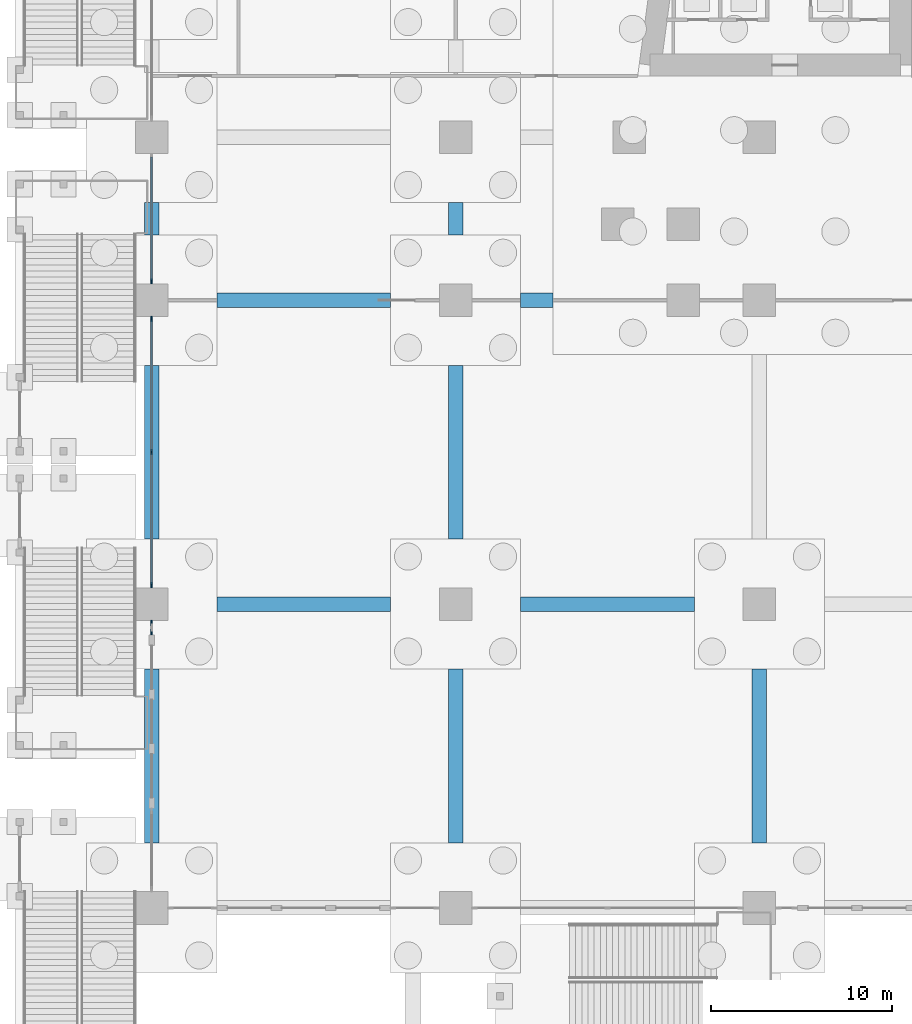
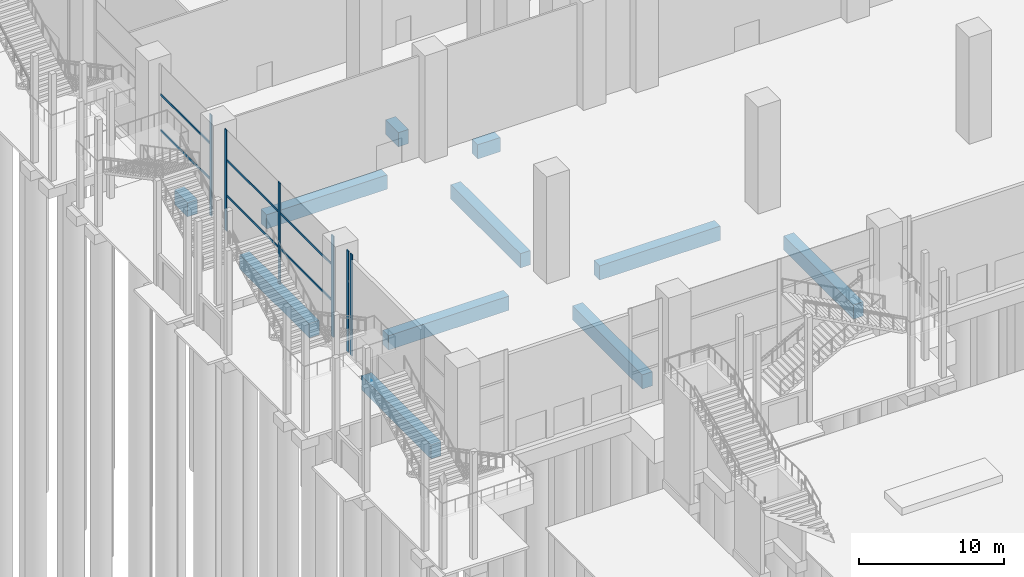
# One storey, part 17 of 72: 12 members, 11 beams, 3 elements without a shape of their own.
"""IFC4 building model written with IfcOpenShell, lengths in metres."""

from ifc_helpers import new_model, si_unit, direction, frame, origin, origin_2d, place, context, subcontext, project, spatial, rectangle, extrude, material, material_profile, profile_set, type_object, element, aggregate, save


model = new_model("IFC4")

# Units and contexts
model_context = context("Model", 3, precision=1e-05, world=origin(), true_north=direction((0.0, 1.0)))
body_context = subcontext(model_context, "Body", "Model", "MODEL_VIEW")
ifc_project = project(units=[si_unit("LENGTHUNIT", "METRE"), si_unit("AREAUNIT", "SQUARE_METRE"), si_unit("VOLUMEUNIT", "CUBIC_METRE"), si_unit("PLANEANGLEUNIT", "RADIAN"), si_unit("MASSUNIT", "GRAM", prefix="KILO")], contexts=[model_context])

# Site, building, storey
site_placement = place(None, origin())
site = spatial("IfcSite", under=ifc_project, at=site_placement, CompositionType="ELEMENT")
building_placement = place(site_placement, origin())
building = spatial("IfcBuilding", under=site, at=building_placement, Name="Candeia Pilgrim Tower and Theatre", CompositionType="ELEMENT")
storey_placement = place(building_placement, origin())
storey = spatial("IfcBuildingStorey", under=building, at=storey_placement, Name="L00", CompositionType="ELEMENT", Elevation=0.0)

# Curtain wall, members
ifc_material_1 = material(Name="Aluminium framed podium glazing", Category="aluminium")
curtain_wall_type = type_object("IfcCurtainWallType", Name="CW-P curtain wall", PredefinedType="NOTDEFINED", material=ifc_material_1)
curtain_wall_1_placement = place(storey_placement, origin())
curtain_wall_1 = element("IfcCurtainWall", 1, at=curtain_wall_1_placement, inside=storey, type_object=curtain_wall_type, Name="Curtain wall CW-P L00.001", PredefinedType="NOTDEFINED")
ifc_material_2 = material(Name="Anodised aluminium", Category="aluminium")
ifc_material_profile_1 = material_profile(ifc_material_2, rectangle(XDim=0.080078125, YDim=0.300048828125, at=origin_2d()))
ifc_profile_set_1 = profile_set([ifc_material_profile_1], Name="Anodised aluminium")
member_type_1 = type_object("IfcMemberType", Name="CW-P mullion 80x300", PredefinedType="MULLION", material=ifc_profile_set_1)
member_1_placement = place(storey_placement, frame((58.800048828125, 79.64990234375, 0.0), z_axis=(0.0, 0.0, 1.0), x_axis=(-1.0, 0.0, 0.0)))
member_1 = element("IfcMember", 2, at=member_1_placement, type_object=member_type_1, Name="CW-P mullion 1", PredefinedType="MULLION", context=body_context, shape_type="SweptSolid", body=[
    extrude(rectangle(XDim=0.080078125, YDim=0.300048828125, at=origin_2d()), origin(), (0.0, 0.0, 1.0), 8.5),
])
member_2_placement = place(storey_placement, frame((58.800048828125, 80.14990234375, 0.0), z_axis=(0.0, 0.0, 1.0), x_axis=(-1.0, 0.0, 0.0)))
member_2 = element("IfcMember", 3, at=member_2_placement, type_object=member_type_1, Name="CW-P mullion 2", PredefinedType="MULLION", context=body_context, shape_type="SweptSolid", body=[
    extrude(rectangle(XDim=0.080078125, YDim=0.300048828125, at=origin_2d()), origin(), (0.0, 0.0, 1.0), 8.5),
])
aggregate(curtain_wall_1, [member_1, member_2])

curtain_wall_2_placement = place(storey_placement, origin())
curtain_wall_2 = element("IfcCurtainWall", 4, at=curtain_wall_2_placement, inside=storey, type_object=curtain_wall_type, Name="Curtain wall CW-P L00.010", PredefinedType="NOTDEFINED")
member_3_placement = place(storey_placement, frame((58.800048828125, 82.25, 0.0), z_axis=(0.0, 0.0, 1.0), x_axis=(-1.0, 0.0, 0.0)))
member_3 = element("IfcMember", 5, at=member_3_placement, type_object=member_type_1, Name="CW-P mullion 1", PredefinedType="MULLION", context=body_context, shape_type="SweptSolid", body=[
    extrude(rectangle(XDim=0.080078125, YDim=0.300048828125, at=origin_2d()), origin(), (0.0, 0.0, 1.0), 8.5),
])
member_4_placement = place(storey_placement, frame((58.800048828125, 89.60009765625, 0.0), z_axis=(0.0, 0.0, 1.0), x_axis=(-1.0, 0.0, 0.0)))
member_4 = element("IfcMember", 6, at=member_4_placement, type_object=member_type_1, Name="CW-P mullion 2", PredefinedType="MULLION", context=body_context, shape_type="SweptSolid", body=[
    extrude(rectangle(XDim=0.080078125, YDim=0.300048828125, at=origin_2d()), origin(), (0.0, 0.0, 1.0), 8.5),
])
member_5_placement = place(storey_placement, frame((58.800048828125, 96.949951171875, 0.0), z_axis=(0.0, 0.0, 1.0), x_axis=(-1.0, 0.0, 0.0)))
member_5 = element("IfcMember", 7, at=member_5_placement, type_object=member_type_1, Name="CW-P mullion 3", PredefinedType="MULLION", context=body_context, shape_type="SweptSolid", body=[
    extrude(rectangle(XDim=0.080078125, YDim=0.300048828125, at=origin_2d()), origin(), (0.0, 0.0, 1.0), 8.5),
])

# Curtain wall, member
curtain_wall_3_placement = place(storey_placement, origin())
curtain_wall_3 = element("IfcCurtainWall", 8, at=curtain_wall_3_placement, inside=storey, type_object=curtain_wall_type, Name="Curtain wall CW-P L00.020", PredefinedType="NOTDEFINED")
member_6_placement = place(storey_placement, frame((58.800048828125, 99.050048828125, 0.0), z_axis=(0.0, 0.0, 1.0), x_axis=(-1.0, 0.0, 0.0)))
member_6 = element("IfcMember", 9, at=member_6_placement, type_object=member_type_1, Name="CW-P mullion 1", PredefinedType="MULLION", context=body_context, shape_type="SweptSolid", body=[
    extrude(rectangle(XDim=0.080078125, YDim=0.300048828125, at=origin_2d()), origin(), (0.0, 0.0, 1.0), 8.5),
])

# Member
ifc_material_profile_2 = material_profile(ifc_material_2, rectangle(XDim=0.080078125, YDim=0.179931640625, at=origin_2d()))
ifc_profile_set_2 = profile_set([ifc_material_profile_2], Name="Anodised aluminium")
member_type_2 = type_object("IfcMemberType", Name="CW-P transom 80x180", PredefinedType="USERDEFINED", material=ifc_profile_set_2)
member_7_placement = place(storey_placement, frame((58.800048828125, 82.2900390625, 3.0), z_axis=(0.0, 1.0, 0.0), x_axis=(-1.0, 0.0, 0.0)))
member_7 = element("IfcMember", 10, at=member_7_placement, type_object=member_type_2, Name="CW-P transom 1.1", ObjectType="TRANSOM", PredefinedType="USERDEFINED", context=body_context, shape_type="SweptSolid", body=[
    extrude(rectangle(XDim=0.080078125, YDim=0.179931640625, at=origin_2d()), origin(), (0.0, 0.0, 1.0), 7.27001953125),
])

member_8_placement = place(storey_placement, frame((58.800048828125, 82.2900390625, 6.0), z_axis=(0.0, 1.0, 0.0), x_axis=(-1.0, 0.0, 0.0)))
member_8 = element("IfcMember", 11, at=member_8_placement, type_object=member_type_2, Name="CW-P transom 1.2", ObjectType="TRANSOM", PredefinedType="USERDEFINED", context=body_context, shape_type="SweptSolid", body=[
    extrude(rectangle(XDim=0.080078125, YDim=0.179931640625, at=origin_2d()), origin(), (0.0, 0.0, 1.0), 7.27001953125),
])

member_9_placement = place(storey_placement, frame((58.800048828125, 89.639892578125, 3.0), z_axis=(0.0, 1.0, 0.0), x_axis=(-1.0, 0.0, 0.0)))
member_9 = element("IfcMember", 12, at=member_9_placement, type_object=member_type_2, Name="CW-P transom 2.1", ObjectType="TRANSOM", PredefinedType="USERDEFINED", context=body_context, shape_type="SweptSolid", body=[
    extrude(rectangle(XDim=0.080078125, YDim=0.179931640625, at=origin_2d()), origin(), (0.0, 0.0, 1.0), 7.27001953125),
])

member_10_placement = place(storey_placement, frame((58.800048828125, 89.639892578125, 6.0), z_axis=(0.0, 1.0, 0.0), x_axis=(-1.0, 0.0, 0.0)))
member_10 = element("IfcMember", 13, at=member_10_placement, type_object=member_type_2, Name="CW-P transom 2.2", ObjectType="TRANSOM", PredefinedType="USERDEFINED", context=body_context, shape_type="SweptSolid", body=[
    extrude(rectangle(XDim=0.080078125, YDim=0.179931640625, at=origin_2d()), origin(), (0.0, 0.0, 1.0), 7.27001953125),
])

aggregate(curtain_wall_2, [member_3, member_4, member_5, member_7, member_8, member_9, member_10])

member_11_placement = place(storey_placement, frame((58.800048828125, 99.090087890625, 3.0), z_axis=(0.0, 1.0, 0.0), x_axis=(-1.0, 0.0, 0.0)))
member_11 = element("IfcMember", 14, at=member_11_placement, type_object=member_type_2, Name="CW-P transom 1.1", ObjectType="TRANSOM", PredefinedType="USERDEFINED", context=body_context, shape_type="SweptSolid", body=[
    extrude(rectangle(XDim=0.080078125, YDim=0.179931640625, at=origin_2d()), origin(), (0.0, 0.0, 1.0), 6.81982421875),
])

member_12_placement = place(storey_placement, frame((58.800048828125, 99.090087890625, 6.0), z_axis=(0.0, 1.0, 0.0), x_axis=(-1.0, 0.0, 0.0)))
member_12 = element("IfcMember", 15, at=member_12_placement, type_object=member_type_2, Name="CW-P transom 1.2", ObjectType="TRANSOM", PredefinedType="USERDEFINED", context=body_context, shape_type="SweptSolid", body=[
    extrude(rectangle(XDim=0.080078125, YDim=0.179931640625, at=origin_2d()), origin(), (0.0, 0.0, 1.0), 6.81982421875),
])

aggregate(curtain_wall_3, [member_6, member_11, member_12])

# Beams
ifc_material_3 = material(Name="Concrete C40/50", Category="concrete")
ifc_material_profile_3 = material_profile(ifc_material_3, rectangle(XDim=0.800048828125, YDim=1.199951171875, at=origin_2d()))
ifc_profile_set_3 = profile_set([ifc_material_profile_3], Name="Concrete C40/50")
beam_type = type_object("IfcBeamType", Name="RC 800x1200 C40/50", PredefinedType="BEAM", material=ifc_profile_set_3)
for number, where, z_axis, x_axis, name in (
    (16, (92.39990234375, 77.60009765625, -0.949951171875), (0.0, -1.0, 0.0), (1.0, 0.0, 0.0), "Ground beam 001"),
    (17, (88.800048828125, 81.199951171875, -0.949951171875), (-1.0, 0.0, 0.0), (0.0, -1.0, 0.0), "Ground beam 003"),
):
    element("IfcBeam", number, at=place(storey_placement, frame(where, z_axis=z_axis, x_axis=x_axis)), inside=storey, type_object=beam_type, Name=name, PredefinedType="BEAM", context=body_context, shape_type="SweptSolid", body=[
        extrude(rectangle(XDim=0.800048828125, YDim=1.199951171875, at=origin_2d()), origin(), (0.0, 0.0, 1.0), 9.60009765625),
    ])
beam_1_placement = place(storey_placement, frame((75.60009765625, 101.60009765625, -0.949951171875), z_axis=(0.0, 1.0, 0.0), x_axis=(-1.0, 0.0, 0.0)))
element("IfcBeam", 18, at=beam_1_placement, inside=storey, type_object=beam_type, Name="Ground beam 022", PredefinedType="BEAM", context=body_context, shape_type="SweptSolid", body=[
    extrude(rectangle(XDim=0.800048828125, YDim=1.199951171875, at=origin_2d()), origin(), (0.0, 0.0, 1.0), 1.7998046875),
])
beam_2_placement = place(storey_placement, frame((75.60009765625, 94.39990234375, -0.949951171875), z_axis=(0.0, -1.0, 0.0), x_axis=(1.0, 0.0, 0.0)))
element("IfcBeam", 19, at=beam_2_placement, inside=storey, type_object=beam_type, Name="Ground beam 023", PredefinedType="BEAM", context=body_context, shape_type="SweptSolid", body=[
    extrude(rectangle(XDim=0.800048828125, YDim=1.199951171875, at=origin_2d()), origin(), (0.0, 0.0, 1.0), 9.599853515625),
])
for number, where, z_axis, x_axis, name in (
    (20, (72.0, 98.0, -0.949951171875), (-1.0, 0.0, 0.0), (0.0, -1.0, 0.0), "Ground beam 024"),
    (21, (75.60009765625, 77.60009765625, -0.949951171875), (0.0, -1.0, 0.0), (1.0, 0.0, 0.0), "Ground beam 034"),
    (22, (72.0, 81.199951171875, -0.949951171875), (-1.0, 0.0, 0.0), (0.0, -1.0, 0.0), "Ground beam 035"),
):
    element("IfcBeam", number, at=place(storey_placement, frame(where, z_axis=z_axis, x_axis=x_axis)), inside=storey, type_object=beam_type, Name=name, PredefinedType="BEAM", context=body_context, shape_type="SweptSolid", body=[
        extrude(rectangle(XDim=0.800048828125, YDim=1.199951171875, at=origin_2d()), origin(), (0.0, 0.0, 1.0), 9.60009765625),
    ])
beam_3_placement = place(storey_placement, frame((58.800048828125, 101.60009765625, -0.949951171875), z_axis=(0.0, 1.0, 0.0), x_axis=(-1.0, 0.0, 0.0)))
element("IfcBeam", 23, at=beam_3_placement, inside=storey, type_object=beam_type, Name="Ground beam 037", PredefinedType="BEAM", context=body_context, shape_type="SweptSolid", body=[
    extrude(rectangle(XDim=0.800048828125, YDim=1.199951171875, at=origin_2d()), origin(), (0.0, 0.0, 1.0), 1.7998046875),
])
beam_4_placement = place(storey_placement, frame((58.800048828125, 94.39990234375, -0.949951171875), z_axis=(0.0, -1.0, 0.0), x_axis=(1.0, 0.0, 0.0)))
element("IfcBeam", 24, at=beam_4_placement, inside=storey, type_object=beam_type, Name="Ground beam 038", PredefinedType="BEAM", context=body_context, shape_type="SweptSolid", body=[
    extrude(rectangle(XDim=0.800048828125, YDim=1.199951171875, at=origin_2d()), origin(), (0.0, 0.0, 1.0), 9.599853515625),
])
beam_5_placement = place(storey_placement, frame((58.800048828125, 77.60009765625, -0.949951171875), z_axis=(0.0, -1.0, 0.0), x_axis=(1.0, 0.0, 0.0)))
element("IfcBeam", 25, at=beam_5_placement, inside=storey, type_object=beam_type, Name="Ground beam 043", PredefinedType="BEAM", context=body_context, shape_type="SweptSolid", body=[
    extrude(rectangle(XDim=0.800048828125, YDim=1.199951171875, at=origin_2d()), origin(), (0.0, 0.0, 1.0), 9.60009765625),
])
beam_6_placement = place(storey_placement, frame((79.199951171875, 98.0, -0.949951171875), z_axis=(1.0, 0.0, 0.0), x_axis=(0.0, 1.0, 0.0)))
element("IfcBeam", 26, at=beam_6_placement, inside=storey, type_object=beam_type, Name="Ground beam 054", PredefinedType="BEAM", context=body_context, shape_type="SweptSolid", body=[
    extrude(rectangle(XDim=0.800048828125, YDim=1.199951171875, at=origin_2d()), origin(), (0.0, 0.0, 1.0), 1.800048828125),
])

save(model, "model.ifc")
